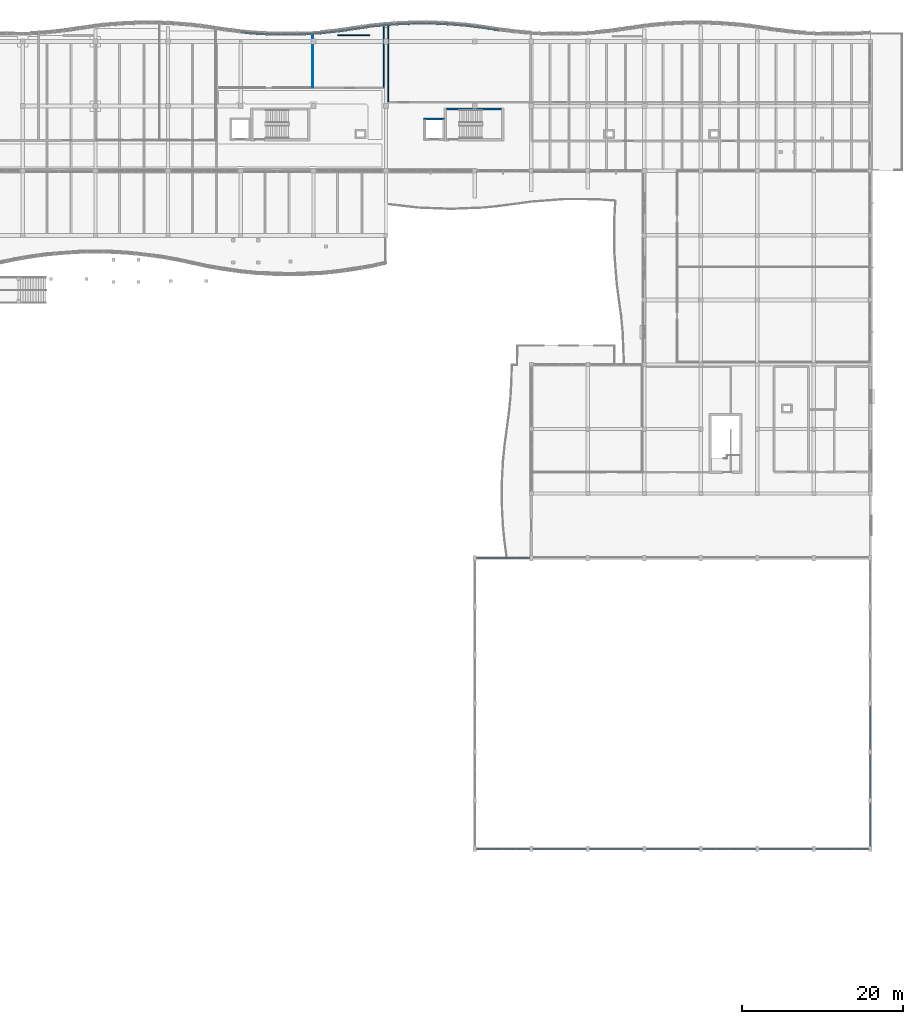
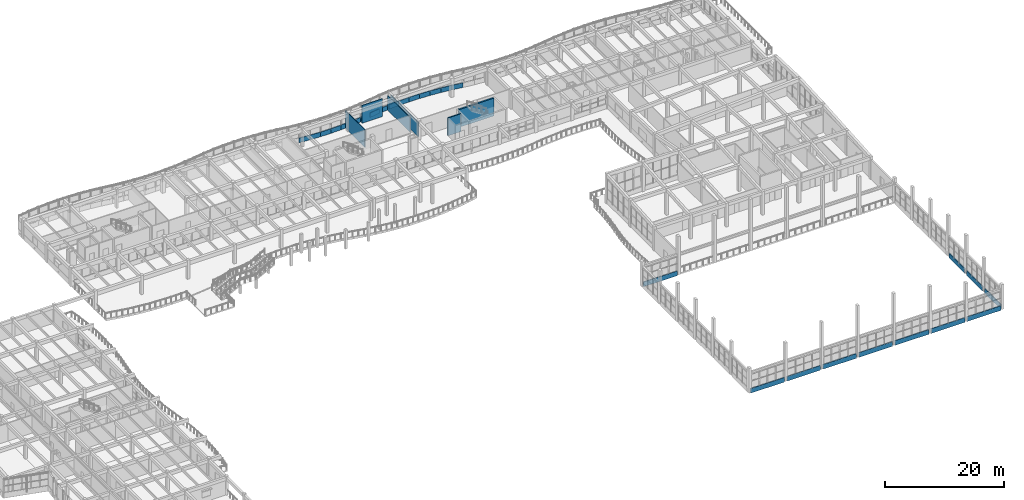
# One storey, part 62 of 89: 33 walls.
"""IFC4 building model written with IfcOpenShell, lengths in metres."""

import ifcopenshell
import ifcopenshell.guid

model = None  # the IFC model being written
_history = None  # IfcOwnerHistory: only IFC2X3 demands one
_inside = {}  # id of a spatial element -> (the spatial element, [elements in it])
_under = {}  # id of a project, library or spatial element -> (it, [spatial elements below it])
_declared = {}  # id of a project -> (the project, [libraries it declares])
_typed = {}  # id of a type object -> (the type object, [elements of that type])
_made_of = {}  # id of a material, layer set ... -> (it, [elements and type objects made of it])


def new_model(schema):
    """Start an empty IFC model of exactly this schema.

    Asked for "IFC4X3", IfcOpenShell would pick the latest addendum, in which some entities
    have other attributes; the version numbers below select the first issue.
    IFC2X3 requires an IfcOwnerHistory on every rooted entity: one is made here for all.
    """
    global model, _history
    if schema == "IFC4X3":
        model = ifcopenshell.file(schema_version=(4, 3, 0, 0))
    else:
        model = ifcopenshell.file(schema=schema)
    _inside.clear()
    _under.clear()
    _declared.clear()
    _typed.clear()
    _made_of.clear()
    _history = None
    if model.schema == "IFC2X3":
        org = make("IfcOrganization", Name="unknown")
        user = make(
            "IfcPersonAndOrganization",
            ThePerson=make("IfcPerson", FamilyName="unknown"),
            TheOrganization=org,
        )
        app = make(
            "IfcApplication",
            ApplicationDeveloper=org,
            Version="unknown",
            ApplicationFullName="unknown",
            ApplicationIdentifier="unknown",
        )
        _history = make(
            "IfcOwnerHistory",
            OwningUser=user,
            OwningApplication=app,
            ChangeAction="ADDED",
            CreationDate=0,
        )
    return model


def make(cls, **values):
    """One entity of the class cls with the attributes given. An attribute that is None is left unset."""
    return model.create_entity(
        cls, **{name: value for name, value in values.items() if value is not None}
    )


def rooted(cls, **values):
    """An entity with a GlobalId (a new one), such as an element, a storey or a relation."""
    return make(cls, GlobalId=ifcopenshell.guid.new(), OwnerHistory=_history, **values)


def si_unit(unit_type, name, prefix=None):
    """IfcSIUnit, for example si_unit("LENGTHUNIT", "METRE", prefix="MILLI")."""
    return make("IfcSIUnit", UnitType=unit_type, Prefix=prefix, Name=name)


def assignment(units):
    """IfcUnitAssignment: the units of a project."""
    return None if units is None else make("IfcUnitAssignment", Units=units)


def point(xyz):
    """IfcCartesianPoint."""
    return None if xyz is None else make("IfcCartesianPoint", Coordinates=xyz)


def direction(xyz):
    """IfcDirection."""
    return None if xyz is None else make("IfcDirection", DirectionRatios=xyz)


def frame(location, z_axis=None, x_axis=None):
    """IfcAxis2Placement3D, a coordinate frame: its origin and axes. An axis left out is left unset."""
    return make(
        "IfcAxis2Placement3D",
        Location=point(location),
        Axis=direction(z_axis),
        RefDirection=direction(x_axis),
    )


def frame_2d(location, x_axis=None):
    """IfcAxis2Placement2D, a coordinate frame in the plane: its origin and x axis."""
    return make(
        "IfcAxis2Placement2D", Location=point(location), RefDirection=direction(x_axis)
    )


def origin():
    """The frame at (0, 0, 0) with its axes left unset."""
    return frame((0.0, 0.0, 0.0))


def place(relative_to, where):
    """IfcLocalPlacement: puts the frame where relative to a parent placement (None: the world)."""
    return make(
        "IfcLocalPlacement", PlacementRelTo=relative_to, RelativePlacement=where
    )


def context(
    kind, dimensions, precision=None, world=None, true_north=None, identifier=None
):
    """IfcGeometricRepresentationContext, for example the 3D "Model" context."""
    return make(
        "IfcGeometricRepresentationContext",
        ContextIdentifier=identifier,
        ContextType=kind,
        CoordinateSpaceDimension=dimensions,
        Precision=precision,
        WorldCoordinateSystem=world,
        TrueNorth=true_north,
    )


def subcontext(parent, identifier, kind, view, scale=None):
    """IfcGeometricRepresentationSubContext, for example "Body" below "Model"."""
    return make(
        "IfcGeometricRepresentationSubContext",
        ContextIdentifier=identifier,
        ContextType=kind,
        ParentContext=parent,
        TargetScale=scale,
        TargetView=view,
    )


def project(units=None, contexts=None):
    """IfcProject with its units and contexts."""
    return rooted(
        "IfcProject",
        Name="project",
        RepresentationContexts=contexts,
        UnitsInContext=assignment(units),
    )


def spatial(cls, under=None, at=None, **own):
    """A site, building, storey or space (cls), placed at a placement, below another one or the project."""
    s = rooted(cls, ObjectPlacement=at, **own)
    if under is not None:
        _under.setdefault(under.id(), (under, []))[1].append(s)
    return s


def profile(cls, at=None, kind="AREA", **sizes):
    """A parametric profile (cls). Its sizes go by their IFC names, for example OverallWidth=200.0."""
    return make(cls, ProfileType=kind, Position=at, **sizes)


def rectangle(**sizes):
    """IfcRectangleProfileDef."""
    return profile("IfcRectangleProfileDef", **sizes)


def extrude(swept, where, along, depth):
    """IfcExtrudedAreaSolid: the profile swept, set in the frame where, extruded along a direction by depth."""
    return make(
        "IfcExtrudedAreaSolid",
        SweptArea=swept,
        Position=where,
        ExtrudedDirection=direction(along),
        Depth=depth,
    )


def shape(context_of_items, identifier, shape_type, items):
    """IfcShapeRepresentation: the items that make up one representation, for example the "Body"."""
    return make(
        "IfcShapeRepresentation",
        ContextOfItems=context_of_items,
        RepresentationIdentifier=identifier,
        RepresentationType=shape_type,
        Items=items,
    )


def material(Name=None, Category=None):
    """IfcMaterial."""
    return make("IfcMaterial", Name=Name, Category=Category)


def layer(
    of_material, thickness, ventilated=None, Name=None, Category=None, Priority=None
):
    """IfcMaterialLayer: one layer of a wall or slab, of a material (None: an air gap)."""
    return make(
        "IfcMaterialLayer",
        Material=of_material,
        LayerThickness=thickness,
        IsVentilated=ventilated,
        Name=Name,
        Category=Category,
        Priority=Priority,
    )


def layer_set(layers, Name=None):
    """IfcMaterialLayerSet."""
    return make("IfcMaterialLayerSet", MaterialLayers=layers, LayerSetName=Name)


def made_of(thing, what):
    """Note that an element or type object is made of a material, layer set ...; save() writes the relation."""
    if what is not None:
        _made_of.setdefault(what.id(), (what, []))[1].append(thing)
    return thing


def type_object(cls, material=None, **own):
    """A type object (cls), such as IfcWallType, which elements share."""
    return made_of(rooted(cls, **own), material)


def element(
    cls,
    number,
    at=None,
    inside=None,
    cuts=None,
    type_object=None,
    material=None,
    context=None,
    identifier="Body",
    shape_type=None,
    held_by="IfcProductDefinitionShape",
    body=None,
    shapes=None,
    **own,
):
    """One element of the class cls, such as IfcWall. Its Tag is "e" and its number.

    at: its placement. inside: the storey or other place that contains it. cuts: it is an
    opening in that element (IfcRelVoidsElement). A single representation is given by context,
    identifier, shape_type and body (its items); several are given by shapes. held_by: the class
    of the entity that holds the representations. save() writes the other relations.
    """
    e = rooted(cls, Tag="e%d" % number, ObjectPlacement=at, **own)
    if body is not None:
        shapes = [shape(context, identifier, shape_type, body)]
    if shapes is not None:
        e.Representation = make(held_by, Representations=shapes)
    if inside is not None:
        _inside.setdefault(inside.id(), (inside, []))[1].append(e)
    if cuts is not None:
        rooted(
            "IfcRelVoidsElement", RelatingBuildingElement=cuts, RelatedOpeningElement=e
        )
    if type_object is not None:
        _typed.setdefault(type_object.id(), (type_object, []))[1].append(e)
    return made_of(e, material)


def aggregate(whole, parts):
    """IfcRelAggregates: a whole, such as a stair, and the parts it consists of."""
    return rooted("IfcRelAggregates", RelatingObject=whole, RelatedObjects=parts)


def save(model, path):
    """Write the relations noted so far, then the file.

    IfcRelAggregates (storeys below a building ...), IfcRelContainedInSpatialStructure (elements
    in a storey), IfcRelDefinesByType, IfcRelAssociatesMaterial and IfcRelDeclares: one each for
    every whole, place, type object, material and project.
    """
    for whole, parts in _under.values():
        aggregate(whole, parts)
    for where, things in _inside.values():
        rooted(
            "IfcRelContainedInSpatialStructure",
            RelatedElements=things,
            RelatingStructure=where,
        )
    for kind, things in _typed.values():
        rooted("IfcRelDefinesByType", RelatedObjects=things, RelatingType=kind)
    for what, things in _made_of.values():
        rooted("IfcRelAssociatesMaterial", RelatedObjects=things, RelatingMaterial=what)
    for by, libraries in _declared.values():
        rooted("IfcRelDeclares", RelatingContext=by, RelatedDefinitions=libraries)
    model.write(path)


model = new_model("IFC4")

# Units and contexts
model_context = context("Model", 3, precision=1e-05, world=origin(), true_north=direction((0.0, 1.0)))
body_context = subcontext(model_context, "Body", "Model", "MODEL_VIEW")
ifc_project = project(units=[si_unit("LENGTHUNIT", "METRE"), si_unit("AREAUNIT", "SQUARE_METRE"), si_unit("VOLUMEUNIT", "CUBIC_METRE"), si_unit("PLANEANGLEUNIT", "RADIAN"), si_unit("MASSUNIT", "GRAM", prefix="KILO")], contexts=[model_context])

# Site, building, storey
site_placement = place(None, origin())
site = spatial("IfcSite", under=ifc_project, at=site_placement, CompositionType="ELEMENT")
building_placement = place(site_placement, origin())
building = spatial("IfcBuilding", under=site, at=building_placement, Name="Tonlespit Floodbar School", CompositionType="ELEMENT")
storey_placement = place(building_placement, frame((0.0, 0.0, 4.5)))
storey = spatial("IfcBuildingStorey", under=building, at=storey_placement, Name="L01", CompositionType="ELEMENT", Elevation=4.5)

# Walls
ifc_material_1 = material(Name="Concrete C40/50", Category="concrete")
ifc_layer_1 = layer(ifc_material_1, 0.300048828125)
ifc_layer_set_1 = layer_set([ifc_layer_1], Name="Concrete C40/50")
wall_type_1 = type_object("IfcWallType", Name="CoreWall_RC_300", PredefinedType="SHEAR", material=ifc_layer_set_1)
wall_1_placement = place(storey_placement, frame((130.300048828125, 111.64990234375, 0.0), z_axis=(0.0, 0.0, 1.0), x_axis=(-1.0, 0.0, 0.0)))
element("IfcWall", 1, at=wall_1_placement, inside=storey, type_object=wall_type_1, Name="L01 core C4 shear wall RGHT", PredefinedType="SHEAR", context=body_context, shape_type="SweptSolid", body=[
    extrude(rectangle(XDim=6.800048828125, YDim=0.300048828125, at=frame_2d((3.39990234375, 0.0))), origin(), (0.0, 0.0, 1.0), 3.64990234375),
])
ifc_material_2 = material(Name="White Architectural Precast concrete C40/50", Category="concrete")
ifc_layer_2 = layer(ifc_material_2, 0.18505859375)
ifc_layer_set_2 = layer_set([ifc_layer_2], Name="White Architectural Precast concrete C40/50")
wall_type_2 = type_object("IfcWallType", Name="ExtWall_Spandrel_White_185", PredefinedType="SOLIDWALL", material=ifc_layer_set_2)
for number, where, z_axis, x_axis, name in (
    (2, (175.77490234375, 20.0, -0.260009765625), (0.0, 0.0, 1.0), (-1.0, 0.0, 0.0), "L01 spandrel wall 0455"),
    (3, (168.77490234375, 20.0, -0.260009765625), (0.0, 0.0, 1.0), (-1.0, 0.0, 0.0), "L01 spandrel wall 0457"),
    (4, (161.77490234375, 20.0, -0.260009765625), (0.0, 0.0, 1.0), (-1.0, 0.0, 0.0), "L01 spandrel wall 0459"),
    (5, (154.77490234375, 20.0, -0.260009765625), (0.0, 0.0, 1.0), (-1.0, 0.0, 0.0), "L01 spandrel wall 0461"),
    (6, (147.77490234375, 20.0, -0.260009765625), (0.0, 0.0, 1.0), (-1.0, 0.0, 0.0), "L01 spandrel wall 0463"),
    (7, (140.77490234375, 20.0, -0.260009765625), (0.0, 0.0, 1.0), (-1.0, 0.0, 0.0), "L01 spandrel wall 0465"),
    (8, (133.77490234375, 20.0, -0.260009765625), (0.0, 0.0, 1.0), (-1.0, 0.0, 0.0), "L01 spandrel wall 0467"),
):
    element("IfcWall", number, at=place(storey_placement, frame(where, z_axis=z_axis, x_axis=x_axis)), inside=storey, type_object=wall_type_2, Name=name, PredefinedType="SOLIDWALL", context=body_context, shape_type="SweptSolid", body=[
        extrude(rectangle(XDim=6.5498046875, YDim=0.18505859375, at=frame_2d((3.27490234375, 0.0))), origin(), (0.0, 0.0, 1.0), 0.949951171875),
    ])
for number, where, z_axis, x_axis, name in (
    (9, (176.0, 37.675048828125, -0.260009765625), (0.0, 0.0, 1.0), (0.0, -1.0, 0.0), "L01 spandrel wall 0487"),
    (10, (176.0, 31.675048828125, -0.260009765625), (0.0, 0.0, 1.0), (0.0, -1.0, 0.0), "L01 spandrel wall 0489"),
    (11, (176.0, 25.675048828125, -0.260009765625), (0.0, 0.0, 1.0), (0.0, -1.0, 0.0), "L01 spandrel wall 0491"),
):
    element("IfcWall", number, at=place(storey_placement, frame(where, z_axis=z_axis, x_axis=x_axis)), inside=storey, type_object=wall_type_2, Name=name, PredefinedType="SOLIDWALL", context=body_context, shape_type="SweptSolid", body=[
        extrude(rectangle(XDim=5.35009765625, YDim=0.18505859375, at=frame_2d((2.675048828125, 0.0))), origin(), (0.0, 0.0, 1.0), 0.949951171875),
    ])
wall_2_placement = place(storey_placement, frame((127.22509765625, 56.0, -0.260009765625), z_axis=(0.0, 0.0, 1.0), x_axis=(1.0, 0.0, 0.0)))
element("IfcWall", 12, at=wall_2_placement, inside=storey, type_object=wall_type_2, Name="L01 spandrel wall 0493", PredefinedType="SOLIDWALL", context=body_context, shape_type="SweptSolid", body=[
    extrude(rectangle(XDim=6.5498046875, YDim=0.18505859375, at=frame_2d((3.27490234375, 0.0))), origin(), (0.0, 0.0, 1.0), 0.949951171875),
])
ifc_layer_3 = layer(ifc_material_2, 0.199951171875)
ifc_layer_set_3 = layer_set([ifc_layer_3], Name="White Architectural Precast concrete C40/50")
wall_type_3 = type_object("IfcWallType", Name="ExtWall_Spandrel_White_200", PredefinedType="SOLIDWALL", material=ifc_layer_set_3)
wall_3_placement = place(storey_placement, frame((98.0, 121.142333984375, 0.0), z_axis=(0.0, 0.0, 1.0), x_axis=(0.996244237948, -0.086587633962, 0.0)))
element("IfcWall", 13, at=wall_3_placement, inside=storey, type_object=wall_type_3, Name="L01 spandrel wall 0075", PredefinedType="SOLIDWALL", context=body_context, shape_type="SweptSolid", body=[
    extrude(rectangle(XDim=2.007568359375, YDim=0.199951171875, at=frame_2d((1.00390625, 0.0))), origin(), (0.0, 0.0, 1.0), 0.949951171875),
])
wall_4_placement = place(storey_placement, frame((100.0, 120.968505859375, 0.0), z_axis=(0.0, 0.0, 1.0), x_axis=(0.99884540439, -0.048040172037, 0.0)))
element("IfcWall", 14, at=wall_4_placement, inside=storey, type_object=wall_type_3, Name="L01 spandrel wall 0076", PredefinedType="SOLIDWALL", context=body_context, shape_type="SweptSolid", body=[
    extrude(rectangle(XDim=2.002197265625, YDim=0.199951171875, at=frame_2d((1.0009765625, 0.0))), origin(), (0.0, 0.0, 1.0), 0.949951171875),
])
wall_5_placement = place(storey_placement, frame((102.0, 120.872314453125, 0.0), z_axis=(0.0, 0.0, 1.0), x_axis=(0.999953504169, -0.009643106302, 0.0)))
element("IfcWall", 15, at=wall_5_placement, inside=storey, type_object=wall_type_3, Name="L01 spandrel wall 0077", PredefinedType="SOLIDWALL", context=body_context, shape_type="SweptSolid", body=[
    extrude(rectangle(XDim=2.0, YDim=0.199951171875, at=frame_2d((1.0, 0.0))), origin(), (0.0, 0.0, 1.0), 0.949951171875),
])
wall_6_placement = place(storey_placement, frame((104.0, 120.85302734375, 0.0), z_axis=(0.0, 0.0, 1.0), x_axis=(0.999585290582, 0.028796646555, 0.0)))
element("IfcWall", 16, at=wall_6_placement, inside=storey, type_object=wall_type_3, Name="L01 spandrel wall 0078", PredefinedType="SOLIDWALL", context=body_context, shape_type="SweptSolid", body=[
    extrude(rectangle(XDim=2.000732421875, YDim=0.199951171875, at=frame_2d((1.00048828125, 0.0))), origin(), (0.0, 0.0, 1.0), 0.949951171875),
])
wall_7_placement = place(storey_placement, frame((106.0, 120.91064453125, 0.0), z_axis=(0.0, 0.0, 1.0), x_axis=(0.997729302978, 0.067351599676, 0.0)))
element("IfcWall", 17, at=wall_7_placement, inside=storey, type_object=wall_type_3, Name="L01 spandrel wall 0079", PredefinedType="SOLIDWALL", context=body_context, shape_type="SweptSolid", body=[
    extrude(rectangle(XDim=2.004638671875, YDim=0.199951171875, at=frame_2d((1.00244140625, 0.0))), origin(), (0.0, 0.0, 1.0), 0.949951171875),
])
wall_8_placement = place(storey_placement, frame((108.0, 121.045654296875, 0.0), z_axis=(0.0, 0.0, 1.0), x_axis=(0.994395160059, 0.105727317433, 0.0)))
element("IfcWall", 18, at=wall_8_placement, inside=storey, type_object=wall_type_3, Name="L01 spandrel wall 0080", PredefinedType="SOLIDWALL", context=body_context, shape_type="SweptSolid", body=[
    extrude(rectangle(XDim=2.01123046875, YDim=0.199951171875, at=frame_2d((1.005615234375, 0.0))), origin(), (0.0, 0.0, 1.0), 0.949951171875),
])
for number, where, z_axis, x_axis, name in (
    (19, (110.0, 121.25830078125, 0.0), (0.0, 0.0, 1.0), (0.989527230727, 0.144346318447, 0.0), "L01 spandrel wall 0081"),
    (20, (112.0, 121.550048828125, 0.0), (0.0, 0.0, 1.0), (0.989544477223, 0.144228040259, 0.0), "L01 spandrel wall 0082"),
):
    element("IfcWall", number, at=place(storey_placement, frame(where, z_axis=z_axis, x_axis=x_axis)), inside=storey, type_object=wall_type_3, Name=name, PredefinedType="SOLIDWALL", context=body_context, shape_type="SweptSolid", body=[
        extrude(rectangle(XDim=2.021240234375, YDim=0.199951171875, at=frame_2d((1.0107421875, 0.0))), origin(), (0.0, 0.0, 1.0), 0.949951171875),
    ])
wall_9_placement = place(storey_placement, frame((114.0, 121.841552734375, 0.0), z_axis=(0.0, 0.0, 1.0), x_axis=(0.994395160059, 0.105727317433, 0.0)))
element("IfcWall", 21, at=wall_9_placement, inside=storey, type_object=wall_type_3, Name="L01 spandrel wall 0083", PredefinedType="SOLIDWALL", context=body_context, shape_type="SweptSolid", body=[
    extrude(rectangle(XDim=2.01123046875, YDim=0.199951171875, at=frame_2d((1.005615234375, 0.0))), origin(), (0.0, 0.0, 1.0), 0.949951171875),
])
wall_10_placement = place(storey_placement, frame((116.0, 122.05419921875, 0.0), z_axis=(0.0, 0.0, 1.0), x_axis=(0.997729302978, 0.067351599676, 0.0)))
element("IfcWall", 22, at=wall_10_placement, inside=storey, type_object=wall_type_3, Name="L01 spandrel wall 0553", PredefinedType="SOLIDWALL", context=body_context, shape_type="SweptSolid", body=[
    extrude(rectangle(XDim=2.004638671875, YDim=0.199951171875, at=frame_2d((1.00244140625, 0.0))), origin(), (0.0, 0.0, 1.0), 0.949951171875),
])
wall_11_placement = place(storey_placement, frame((118.0, 122.189208984375, 0.0), z_axis=(0.0, 0.0, 1.0), x_axis=(0.999581770858, 0.028918564416, 0.0)))
element("IfcWall", 23, at=wall_11_placement, inside=storey, type_object=wall_type_3, Name="L01 spandrel wall 0554", PredefinedType="SOLIDWALL", context=body_context, shape_type="SweptSolid", body=[
    extrude(rectangle(XDim=2.000732421875, YDim=0.199951171875, at=frame_2d((1.00048828125, 0.0))), origin(), (0.0, 0.0, 1.0), 0.949951171875),
])
wall_12_placement = place(storey_placement, frame((120.0, 122.2470703125, 0.0), z_axis=(0.0, 0.0, 1.0), x_axis=(0.999953504169, -0.009643106302, 0.0)))
element("IfcWall", 24, at=wall_12_placement, inside=storey, type_object=wall_type_3, Name="L01 spandrel wall 0555", PredefinedType="SOLIDWALL", context=body_context, shape_type="SweptSolid", body=[
    extrude(rectangle(XDim=2.0, YDim=0.199951171875, at=frame_2d((1.0, 0.0))), origin(), (0.0, 0.0, 1.0), 0.949951171875),
])
wall_13_placement = place(storey_placement, frame((122.0, 122.227783203125, 0.0), z_axis=(0.0, 0.0, 1.0), x_axis=(0.99884540439, -0.048040172037, 0.0)))
element("IfcWall", 25, at=wall_13_placement, inside=storey, type_object=wall_type_3, Name="L01 spandrel wall 0556", PredefinedType="SOLIDWALL", context=body_context, shape_type="SweptSolid", body=[
    extrude(rectangle(XDim=2.002197265625, YDim=0.199951171875, at=frame_2d((1.0009765625, 0.0))), origin(), (0.0, 0.0, 1.0), 0.949951171875),
])
wall_14_placement = place(storey_placement, frame((124.0, 122.131591796875, 0.0), z_axis=(0.0, 0.0, 1.0), x_axis=(0.996244237948, -0.086587633962, 0.0)))
element("IfcWall", 26, at=wall_14_placement, inside=storey, type_object=wall_type_3, Name="L01 spandrel wall 0557", PredefinedType="SOLIDWALL", context=body_context, shape_type="SweptSolid", body=[
    extrude(rectangle(XDim=2.007568359375, YDim=0.199951171875, at=frame_2d((1.00390625, 0.0))), origin(), (0.0, 0.0, 1.0), 0.949951171875),
])
wall_15_placement = place(storey_placement, frame((126.0, 121.957763671875, 0.0), z_axis=(0.0, 0.0, 1.0), x_axis=(0.992158168336, -0.124988675503, 0.0)))
element("IfcWall", 27, at=wall_15_placement, inside=storey, type_object=wall_type_3, Name="L01 spandrel wall 0558", PredefinedType="SOLIDWALL", context=body_context, shape_type="SweptSolid", body=[
    extrude(rectangle(XDim=2.015869140625, YDim=0.199951171875, at=frame_2d((1.0078125, 0.0))), origin(), (0.0, 0.0, 1.0), 0.949951171875),
])
wall_16_placement = place(storey_placement, frame((128.0, 121.705810546875, 0.0), z_axis=(0.0, 0.0, 1.0), x_axis=(0.988085509852, -0.153905897287, 0.0)))
element("IfcWall", 28, at=wall_16_placement, inside=storey, type_object=wall_type_3, Name="L01 spandrel wall 0559", PredefinedType="SOLIDWALL", context=body_context, shape_type="SweptSolid", body=[
    extrude(rectangle(XDim=2.024169921875, YDim=0.199951171875, at=frame_2d((1.01220703125, 0.0))), origin(), (0.0, 0.0, 1.0), 0.949951171875),
])
ifc_material_3 = material(Name="Gypsum Plasterboard Partition")
ifc_layer_4 = layer(ifc_material_3, 0.1201171875)
ifc_layer_set_4 = layer_set([ifc_layer_4], Name="Gypsum Plasterboard Partition")
wall_type_4 = type_object("IfcWallType", Name="Partition_Gyp_120", PredefinedType="PARTITIONING", material=ifc_layer_set_4)
wall_17_placement = place(storey_placement, frame((106.929931640625, 114.344970703125, 0.0), z_axis=(0.0, 0.0, 1.0), x_axis=(0.0, 1.0, 0.0)))
element("IfcWall", 29, at=wall_17_placement, inside=storey, type_object=wall_type_4, Name="L01 partition wall 0053", PredefinedType="PARTITIONING", context=body_context, shape_type="SweptSolid", body=[
    extrude(rectangle(XDim=6.486572265625, YDim=0.1201171875, at=frame_2d((3.2431640625, 0.0))), origin(), (0.0, 0.0, 1.0), 3.64990234375),
])
ifc_layer_5 = layer(ifc_material_3, 0.1298828125)
ifc_layer_set_5 = layer_set([ifc_layer_5], Name="Gypsum Plasterboard Partition")
wall_type_5 = type_object("IfcWallType", Name="Partition_Gyp_130", PredefinedType="PARTITIONING", material=ifc_layer_set_5)
wall_18_placement = place(storey_placement, frame((110.02001953125, 120.759033203125, 0.0), z_axis=(0.0, 0.0, 1.0), x_axis=(1.0, 0.0, 0.0)))
element("IfcWall", 30, at=wall_18_placement, inside=storey, type_object=wall_type_5, Name="L01 partition wall 0055", PredefinedType="PARTITIONING", context=body_context, shape_type="SweptSolid", body=[
    extrude(rectangle(XDim=3.9599609375, YDim=0.1298828125, at=frame_2d((1.97998046875, 0.0))), origin(), (0.0, 0.0, 1.0), 3.64990234375),
])
wall_19_placement = place(storey_placement, frame((115.72998046875, 114.35009765625, 0.0), z_axis=(0.0, 0.0, 1.0), x_axis=(0.0, 1.0, 0.0)))
element("IfcWall", 31, at=wall_19_placement, inside=storey, type_object=wall_type_5, Name="L01 partition wall 0056", PredefinedType="PARTITIONING", context=body_context, shape_type="SweptSolid", body=[
    extrude(rectangle(XDim=7.533447265625, YDim=0.1298828125, at=frame_2d((3.7666015625, 0.0))), origin(), (0.0, 0.0, 1.0), 2.9951171875),
])
wall_20_placement = place(storey_placement, frame((116.27001953125, 112.550048828125, 0.0), z_axis=(0.0, 0.0, 1.0), x_axis=(0.0, 1.0, 0.0)))
element("IfcWall", 32, at=wall_20_placement, inside=storey, type_object=wall_type_5, Name="L01 partition wall 0358", PredefinedType="PARTITIONING", context=body_context, shape_type="SweptSolid", body=[
    extrude(rectangle(XDim=9.38037109375, YDim=0.1298828125, at=frame_2d((4.690185546875, 0.0))), origin(), (0.0, 0.0, 1.0), 2.9951171875),
])
ifc_layer_6 = layer(ifc_material_1, 0.219970703125)
ifc_layer_set_6 = layer_set([ifc_layer_6], Name="Concrete C40/50")
wall_type_6 = type_object("IfcWallType", Name="ShaftWall_RC_220", PredefinedType="SHEAR", material=ifc_layer_set_6)
wall_21_placement = place(storey_placement, frame((120.679931640625, 110.409912109375, 0.0), z_axis=(0.0, 0.0, 1.0), x_axis=(1.0, 0.0, 0.0)))
element("IfcWall", 33, at=wall_21_placement, inside=storey, type_object=wall_type_6, Name="L01 lift LP-3 shaft wall N", PredefinedType="SHEAR", context=body_context, shape_type="SweptSolid", body=[
    extrude(rectangle(XDim=2.5400390625, YDim=0.219970703125, at=frame_2d((1.27001953125, 0.0))), origin(), (0.0, 0.0, 1.0), 3.64990234375),
])

save(model, "model.ifc")
